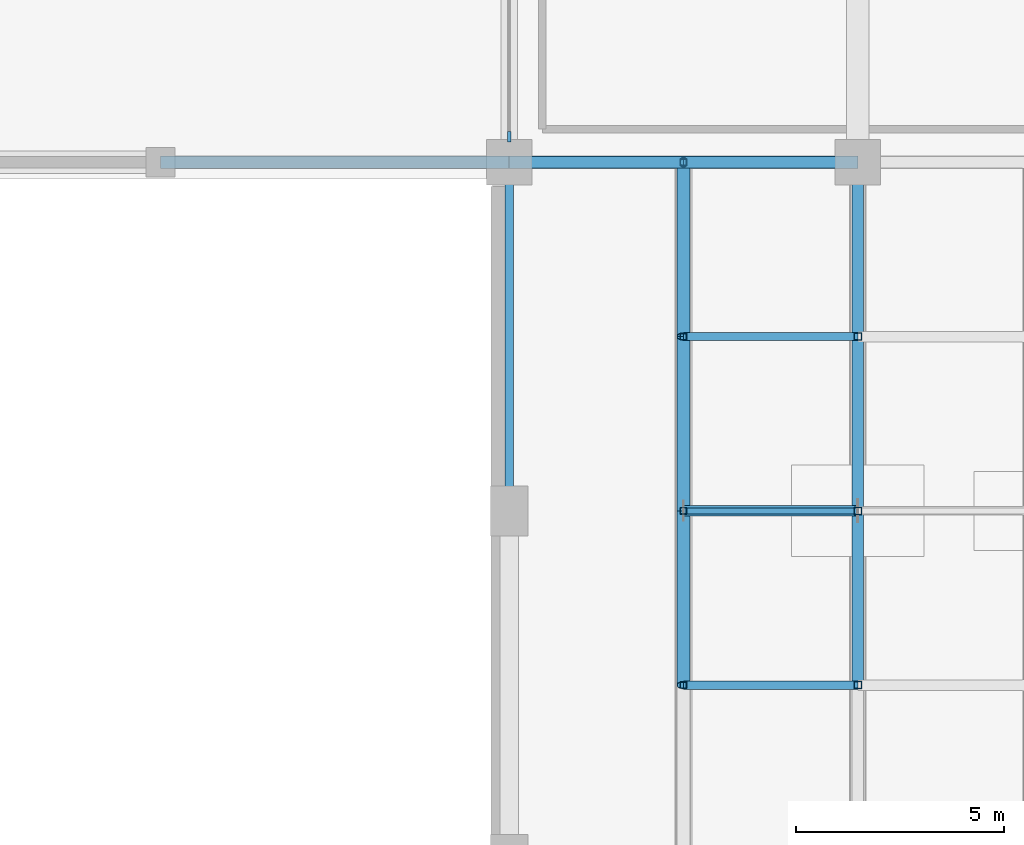
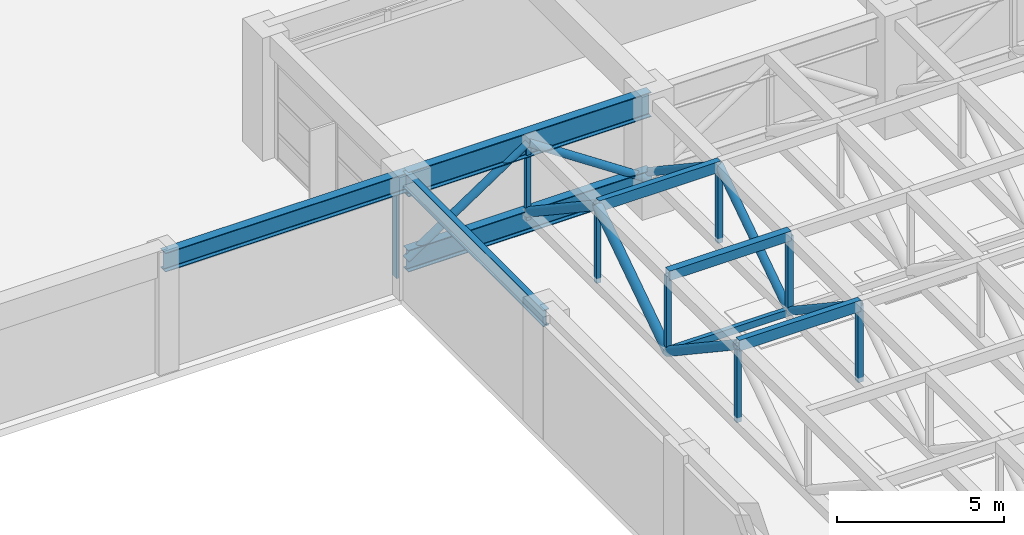
# One storey, part 24 of 47: 20 members, 4 beams, 1 element without a shape of its own.
"""IFC4 building model written with IfcOpenShell, lengths in metres."""

from ifc_helpers import new_model, si_unit, direction, frame, origin, origin_2d, place, context, subcontext, project, spatial, rectangle, hollow_rectangle, hollow_circle, i_section, extrude, material, material_profile, profile_set, type_object, element, aggregate, save


model = new_model("IFC4")

# Units and contexts
model_context = context("Model", 3, precision=1e-05, world=origin(), true_north=direction((0.0, 1.0)))
body_context = subcontext(model_context, "Body", "Model", "MODEL_VIEW")
ifc_project = project(units=[si_unit("LENGTHUNIT", "METRE"), si_unit("AREAUNIT", "SQUARE_METRE"), si_unit("VOLUMEUNIT", "CUBIC_METRE"), si_unit("PLANEANGLEUNIT", "RADIAN"), si_unit("MASSUNIT", "GRAM", prefix="KILO")], contexts=[model_context])

# Site, building, storey
site_placement = place(None, origin())
site = spatial("IfcSite", under=ifc_project, at=site_placement, CompositionType="ELEMENT")
building_placement = place(site_placement, origin())
building = spatial("IfcBuilding", under=site, at=building_placement, Name="Xuanlan Plaza Opera House", CompositionType="ELEMENT")
storey_placement = place(building_placement, frame((0.0, 0.0, 23.39990234375)))
storey = spatial("IfcBuildingStorey", under=building, at=storey_placement, Name="L05", CompositionType="ELEMENT", Elevation=23.39990234375)

# Curtain wall, member
ifc_material_1 = material(Name="Anodised Aluminium 6063-T6 and Low-E Glass", Category="aluminium")
curtain_wall_type = type_object("IfcCurtainWallType", Name="ENV-CW-CW-06", PredefinedType="USERDEFINED", material=ifc_material_1)
curtain_wall_placement = place(storey_placement, origin())
curtain_wall = element("IfcCurtainWall", 1, at=curtain_wall_placement, inside=storey, type_object=curtain_wall_type, Name="Acoustic Glazed Wall L05-033", ObjectType="ACOUSTIC GLAZED WALL", PredefinedType="USERDEFINED")
ifc_material_2 = material(Name="Anodised Aluminium 6063-T6", Category="aluminium")
ifc_material_profile_1 = material_profile(ifc_material_2, rectangle(XDim=0.090087890625, YDim=0.25, at=origin_2d()), Name="ALU-M 90x250")
ifc_profile_set_1 = profile_set([ifc_material_profile_1], Name="Anodised Aluminium 6063-T6")
member_type_1 = type_object("IfcMemberType", Name="ENV-CWM-05", PredefinedType="MULLION", material=ifc_profile_set_1)
member_1_placement = place(storey_placement, frame((67.199951171875, 76.215087890625, 0.0), z_axis=(0.0, 0.0, 1.0), x_axis=(1.0, 0.0, 0.0)))
member_1 = element("IfcMember", 2, at=member_1_placement, type_object=member_type_1, Name="CW-06 mullion 3", PredefinedType="MULLION", context=body_context, shape_type="SweptSolid", body=[
    extrude(rectangle(XDim=0.090087890625, YDim=0.25, at=origin_2d()), origin(), (0.0, 0.0, 1.0), 3.5400390625),
])
aggregate(curtain_wall, [member_1])

# Beams
ifc_material_3 = material(Name="Steel Q390B", Category="steel")
ifc_material_profile_2 = material_profile(ifc_material_3, i_section(OverallWidth=0.300048828125, OverallDepth=0.89990234375, WebThickness=0.01611328125, FlangeThickness=0.028076171875, FilletRadius=0.028076171875, at=origin_2d()), Name="HN 900x300x16x28")
ifc_profile_set_2 = profile_set([ifc_material_profile_2], Name="Steel Q390B")
beam_type_1 = type_object("IfcBeamType", Name="STR-BM-SB-01", PredefinedType="BEAM", material=ifc_profile_set_2)
beam_1_placement = place(storey_placement, frame((67.199951171875, 75.60009765625, 3.80908203125), z_axis=(1.0, 0.0, 0.0), x_axis=(0.0, 1.0, 0.0)))
element("IfcBeam", 3, at=beam_1_placement, inside=storey, type_object=beam_type_1, Name="Auditorium Collector Truss N Top Chord Bay 1", PredefinedType="BEAM", context=body_context, shape_type="SweptSolid", body=[
    extrude(i_section(OverallWidth=0.300048828125, OverallDepth=0.89990234375, WebThickness=0.01611328125, FlangeThickness=0.028076171875, FilletRadius=0.028076171875, at=origin_2d()), origin(), (0.0, 0.0, 1.0), 8.400146484375),
])
ifc_material_profile_3 = material_profile(ifc_material_3, i_section(OverallWidth=0.300048828125, OverallDepth=0.800048828125, WebThickness=0.013916015625, FlangeThickness=0.02587890625, FilletRadius=0.02587890625, at=origin_2d()), Name="HN 800x300x14x26")
ifc_profile_set_3 = profile_set([ifc_material_profile_3], Name="Steel Q390B")
beam_type_2 = type_object("IfcBeamType", Name="STR-BM-SB-02", PredefinedType="BEAM", material=ifc_profile_set_3)
beam_2_placement = place(storey_placement, frame((67.199951171875, 75.60009765625, 1.009033203125), z_axis=(1.0, 0.0, 0.0), x_axis=(0.0, 1.0, 0.0)))
element("IfcBeam", 4, at=beam_2_placement, inside=storey, type_object=beam_type_2, Name="Auditorium Collector Truss N Bottom Chord Bay 1", PredefinedType="BEAM", context=body_context, shape_type="SweptSolid", body=[
    extrude(i_section(OverallWidth=0.300048828125, OverallDepth=0.800048828125, WebThickness=0.013916015625, FlangeThickness=0.02587890625, FilletRadius=0.02587890625, at=origin_2d()), origin(), (0.0, 0.0, 1.0), 8.400146484375),
])
ifc_material_4 = material(Name="Steel Q355B", Category="steel")
ifc_material_profile_4 = material_profile(ifc_material_4, i_section(OverallWidth=0.300048828125, OverallDepth=0.699951171875, WebThickness=0.012939453125, FlangeThickness=0.02392578125, FilletRadius=0.02392578125, at=origin_2d()), Name="HN 700x300x13x24")
ifc_profile_set_4 = profile_set([ifc_material_profile_4], Name="Steel Q355B")
beam_type_3 = type_object("IfcBeamType", Name="STR-BM-SB-03", PredefinedType="BEAM", material=ifc_profile_set_4)
beam_3_placement = place(storey_placement, frame((58.800048828125, 75.60009765625, 3.905029296875), z_axis=(1.0, 0.0, 0.0), x_axis=(0.0, 1.0, 0.0)))
element("IfcBeam", 5, at=beam_3_placement, inside=storey, type_object=beam_type_3, Name="Grid Beam X L05 8-9/J", PredefinedType="BEAM", context=body_context, shape_type="SweptSolid", body=[
    extrude(i_section(OverallWidth=0.300048828125, OverallDepth=0.699951171875, WebThickness=0.012939453125, FlangeThickness=0.02392578125, FilletRadius=0.02392578125, at=origin_2d()), origin(), (0.0, 0.0, 1.0), 8.39990234375),
])
ifc_material_profile_5 = material_profile(ifc_material_4, i_section(OverallWidth=0.199951171875, OverallDepth=0.60009765625, WebThickness=0.010986328125, FlangeThickness=0.01708984375, FilletRadius=0.02197265625, at=origin_2d()), Name="HN 600x200x11x17")
ifc_profile_set_5 = profile_set([ifc_material_profile_5], Name="Steel Q355B")
beam_type_4 = type_object("IfcBeamType", Name="STR-BM-SB-04", PredefinedType="BEAM", material=ifc_profile_set_5)
beam_4_placement = place(storey_placement, frame((67.199951171875, 67.199951171875, 3.955078125), z_axis=(0.0, 1.0, 0.0), x_axis=(-1.0, 0.0, 0.0)))
element("IfcBeam", 6, at=beam_4_placement, inside=storey, type_object=beam_type_4, Name="Grid Beam Y L05 9/I-J", PredefinedType="BEAM", context=body_context, shape_type="SweptSolid", body=[
    extrude(i_section(OverallWidth=0.199951171875, OverallDepth=0.60009765625, WebThickness=0.010986328125, FlangeThickness=0.01708984375, FilletRadius=0.02197265625, at=origin_2d()), origin(), (0.0, 0.0, 1.0), 8.400146484375),
])

# Members
ifc_material_profile_6 = material_profile(ifc_material_4, hollow_circle(Radius=0.161865234375, WallThickness=0.013916015625, at=origin_2d()), Name="CHS 323.9x14")
ifc_profile_set_6 = profile_set([ifc_material_profile_6], Name="Steel Q355B")
member_type_2 = type_object("IfcMemberType", Name="STR-MEM-BR-03", PredefinedType="BRACE", material=ifc_profile_set_6)
for number, where, z_axis, x_axis, name in (
    (7, (71.39990234375, 63.0, 4.05908203125), (0.0, 0.832042853317, -0.554711357594), (-1.0, 0.0, 0.0), "Auditorium Roof Truss AUD-01 Web Diagonal 6"),
    (8, (71.39990234375, 67.199951171875, 1.259033203125), (0.0, 0.832042853317, 0.554711357594), (-1.0, 0.0, 0.0), "Auditorium Roof Truss AUD-01 Web Diagonal 7"),
    (9, (71.39990234375, 71.39990234375, 4.05908203125), (0.0, 0.832057734909, -0.554689035206), (-1.0, 0.0, 0.0), "Auditorium Roof Truss AUD-01 Web Diagonal 8"),
):
    element("IfcMember", number, at=place(storey_placement, frame(where, z_axis=z_axis, x_axis=x_axis)), inside=storey, type_object=member_type_2, Name=name, PredefinedType="BRACE", context=body_context, shape_type="SweptSolid", body=[
        extrude(hollow_circle(Radius=0.161865234375, WallThickness=0.013916015625, at=origin_2d()), origin(), (0.0, 0.0, 1.0), 5.0478515625),
    ])
ifc_material_profile_7 = material_profile(ifc_material_4, hollow_circle(Radius=0.136474609375, WallThickness=0.011962890625, at=origin_2d()), Name="CHS 273x12")
ifc_profile_set_7 = profile_set([ifc_material_profile_7], Name="Steel Q355B")
member_type_3 = type_object("IfcMemberType", Name="STR-MEM-BR-04", PredefinedType="BRACE", material=ifc_profile_set_7)
for number, where, z_axis, x_axis, name in (
    (10, (67.199951171875, 75.60009765625, 1.009033203125), (0.832042853317, 0.0, 0.554711357594), (0.0, 1.0, 0.0), "Auditorium Collector Truss N Web Diagonal 1"),
    (11, (71.39990234375, 75.60009765625, 3.80908203125), (0.832057734909, 0.0, -0.554689035206), (0.0, 1.0, 0.0), "Auditorium Collector Truss N Web Diagonal 2"),
    (12, (75.60009765625, 63.0, 4.05908203125), (0.0, 0.832042853317, -0.554711357594), (-1.0, 0.0, 0.0), "Auditorium Roof Truss AUD-02 Web Diagonal 6"),
    (13, (75.60009765625, 67.199951171875, 1.259033203125), (0.0, 0.832042853317, 0.554711357594), (-1.0, 0.0, 0.0), "Auditorium Roof Truss AUD-02 Web Diagonal 7"),
    (14, (75.60009765625, 71.39990234375, 4.05908203125), (0.0, 0.832057734909, -0.554689035206), (-1.0, 0.0, 0.0), "Auditorium Roof Truss AUD-02 Web Diagonal 8"),
):
    element("IfcMember", number, at=place(storey_placement, frame(where, z_axis=z_axis, x_axis=x_axis)), inside=storey, type_object=member_type_3, Name=name, PredefinedType="BRACE", context=body_context, shape_type="SweptSolid", body=[
        extrude(hollow_circle(Radius=0.136474609375, WallThickness=0.011962890625, at=origin_2d()), origin(), (0.0, 0.0, 1.0), 5.0478515625),
    ])
ifc_material_profile_8 = material_profile(ifc_material_4, hollow_rectangle(XDim=0.14990234375, YDim=0.25, WallThickness=0.010009765625, at=origin_2d()), Name="RHS 250x150x10")
ifc_profile_set_8 = profile_set([ifc_material_profile_8], Name="Steel Q355B")
member_type_4 = type_object("IfcMemberType", Name="STR-MEM-CL-M2", PredefinedType="COLLAR", material=ifc_profile_set_8)
member_2_placement = place(storey_placement, frame((71.39990234375, 67.199951171875, 1.259033203125), z_axis=(1.0, 0.0, 0.0), x_axis=(0.0, 1.0, 0.0)))
element("IfcMember", 15, at=member_2_placement, inside=storey, type_object=member_type_4, Name="Auditorium Truss Bottom Tie 1-7", PredefinedType="COLLAR", context=body_context, shape_type="SweptSolid", body=[
    extrude(hollow_rectangle(XDim=0.14990234375, YDim=0.25, WallThickness=0.010009765625, at=origin_2d()), origin(), (0.0, 0.0, 1.0), 4.2001953125),
])
ifc_material_profile_9 = material_profile(ifc_material_4, hollow_rectangle(XDim=0.25, YDim=0.35009765625, WallThickness=0.011962890625, at=origin_2d()), Name="RHS 350x250x12")
ifc_profile_set_9 = profile_set([ifc_material_profile_9], Name="Steel Q355B")
member_type_5 = type_object("IfcMemberType", Name="STR-MEM-PR-03", PredefinedType="PURLIN", material=ifc_profile_set_9)
member_3_placement = place(storey_placement, frame((71.39990234375, 67.199951171875, 4.083984375), z_axis=(1.0, 0.0, 0.0), x_axis=(0.0, 1.0, 0.0)))
element("IfcMember", 16, at=member_3_placement, inside=storey, type_object=member_type_5, Name="Auditorium Shell Roof Purlin 1-7", PredefinedType="PURLIN", context=body_context, shape_type="SweptSolid", body=[
    extrude(hollow_rectangle(XDim=0.25, YDim=0.35009765625, WallThickness=0.011962890625, at=origin_2d()), origin(), (0.0, 0.0, 1.0), 4.2001953125),
])
ifc_material_profile_10 = material_profile(ifc_material_4, hollow_rectangle(XDim=0.199951171875, YDim=0.39990234375, WallThickness=0.013916015625, at=origin_2d()), Name="RHS 400x200x14")
ifc_profile_set_10 = profile_set([ifc_material_profile_10], Name="Steel Q355B")
member_type_6 = type_object("IfcMemberType", Name="STR-MEM-PR-04", PredefinedType="PURLIN", material=ifc_profile_set_10)
for number, where, z_axis, x_axis, name in (
    (17, (71.39990234375, 63.0, 4.05908203125), (1.0, 0.0, 0.0), (0.0, 1.0, 0.0), "Auditorium Shell Roof Purlin 1-6"),
    (18, (71.39990234375, 71.39990234375, 4.05908203125), (1.0, 0.0, 0.0), (0.0, 1.0, 0.0), "Auditorium Shell Roof Purlin 1-8"),
):
    element("IfcMember", number, at=place(storey_placement, frame(where, z_axis=z_axis, x_axis=x_axis)), inside=storey, type_object=member_type_6, Name=name, PredefinedType="PURLIN", context=body_context, shape_type="SweptSolid", body=[
        extrude(hollow_rectangle(XDim=0.199951171875, YDim=0.39990234375, WallThickness=0.013916015625, at=origin_2d()), origin(), (0.0, 0.0, 1.0), 4.2001953125),
    ])
ifc_material_profile_11 = material_profile(ifc_material_4, hollow_rectangle(XDim=0.179931640625, YDim=0.179931640625, WallThickness=0.010009765625, at=origin_2d()), Name="SHS 180x180x10")
ifc_profile_set_11 = profile_set([ifc_material_profile_11], Name="Steel Q355B")
member_type_7 = type_object("IfcMemberType", Name="STR-MEM-ST-M2", PredefinedType="STRUT", material=ifc_profile_set_11)
for number, where, z_axis, x_axis, name in (
    (19, (75.60009765625, 63.0, 1.259033203125), (0.0, 0.0, 1.0), (1.0, 0.0, 0.0), "Auditorium Roof Truss AUD-02 Vertical Strut 5"),
    (20, (75.60009765625, 67.199951171875, 1.259033203125), (0.0, 0.0, 1.0), (1.0, 0.0, 0.0), "Auditorium Roof Truss AUD-02 Vertical Strut 6"),
    (21, (75.60009765625, 71.39990234375, 1.259033203125), (0.0, 0.0, 1.0), (1.0, 0.0, 0.0), "Auditorium Roof Truss AUD-02 Vertical Strut 7"),
):
    element("IfcMember", number, at=place(storey_placement, frame(where, z_axis=z_axis, x_axis=x_axis)), inside=storey, type_object=member_type_7, Name=name, PredefinedType="STRUT", context=body_context, shape_type="SweptSolid", body=[
        extrude(hollow_rectangle(XDim=0.179931640625, YDim=0.179931640625, WallThickness=0.010009765625, at=origin_2d()), origin(), (0.0, 0.0, 1.0), 2.800048828125),
    ])
ifc_material_profile_12 = material_profile(ifc_material_4, hollow_rectangle(XDim=0.159912109375, YDim=0.159912109375, WallThickness=0.008056640625, at=origin_2d()), Name="SHS 160x160x8")
ifc_profile_set_12 = profile_set([ifc_material_profile_12], Name="Steel Q355B")
member_type_8 = type_object("IfcMemberType", Name="STR-MEM-ST-M3", PredefinedType="STRUT", material=ifc_profile_set_12)
for number, where, z_axis, x_axis, name in (
    (22, (71.39990234375, 75.60009765625, 1.009033203125), (0.0, 0.0, 1.0), (1.0, 0.0, 0.0), "Auditorium Collector Truss N Panel Vertical 1"),
    (23, (71.39990234375, 63.0, 1.259033203125), (0.0, 0.0, 1.0), (1.0, 0.0, 0.0), "Auditorium Roof Truss AUD-01 Vertical Strut 5"),
    (24, (71.39990234375, 67.199951171875, 1.259033203125), (0.0, 0.0, 1.0), (1.0, 0.0, 0.0), "Auditorium Roof Truss AUD-01 Vertical Strut 6"),
    (25, (71.39990234375, 71.39990234375, 1.259033203125), (0.0, 0.0, 1.0), (1.0, 0.0, 0.0), "Auditorium Roof Truss AUD-01 Vertical Strut 7"),
):
    element("IfcMember", number, at=place(storey_placement, frame(where, z_axis=z_axis, x_axis=x_axis)), inside=storey, type_object=member_type_8, Name=name, PredefinedType="STRUT", context=body_context, shape_type="SweptSolid", body=[
        extrude(hollow_rectangle(XDim=0.159912109375, YDim=0.159912109375, WallThickness=0.008056640625, at=origin_2d()), origin(), (0.0, 0.0, 1.0), 2.800048828125),
    ])

save(model, "model.ifc")
